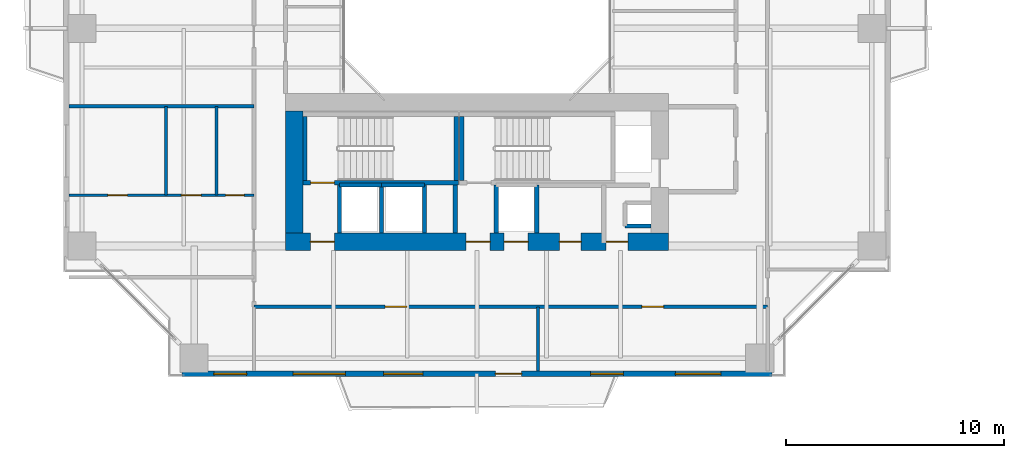
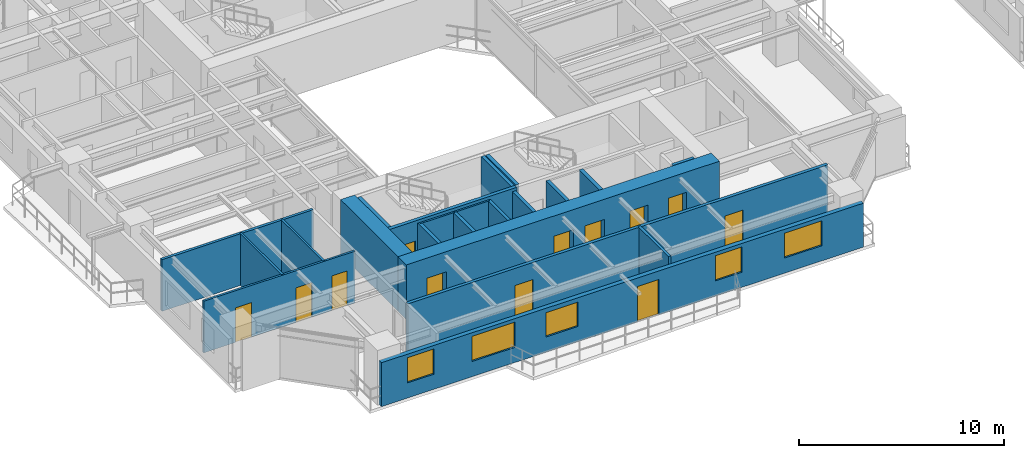
# One storey, part 12 of 23: 22 walls, 12 doors, 5 windows, 17 openings.
"""IFC4 building model written with IfcOpenShell, lengths in metres."""

from ifc_helpers import new_model, si_unit, direction, frame, frame_2d, origin, place, context, subcontext, project, spatial, rectangle, extrude, source, transform, mapped, material, layer, layer_set, type_object, element, fill, save


model = new_model("IFC4")

# Units and contexts
model_context = context("Model", 3, precision=1e-05, world=origin(), true_north=direction((0.0, 1.0)))
body_context = subcontext(model_context, "Body", "Model", "MODEL_VIEW")
ifc_project = project(units=[si_unit("LENGTHUNIT", "METRE"), si_unit("AREAUNIT", "SQUARE_METRE"), si_unit("VOLUMEUNIT", "CUBIC_METRE"), si_unit("PLANEANGLEUNIT", "RADIAN"), si_unit("MASSUNIT", "GRAM", prefix="KILO"), si_unit("THERMODYNAMICTEMPERATUREUNIT", "KELVIN"), si_unit("POWERUNIT", "WATT")], contexts=[model_context])

# Site, building, storey
site_placement = place(None, origin())
site = spatial("IfcSite", under=ifc_project, at=site_placement, CompositionType="ELEMENT")
building_placement = place(site_placement, origin())
building = spatial("IfcBuilding", under=site, at=building_placement, Name="Qiaomeng Ring Towers", CompositionType="ELEMENT")
storey_placement = place(building_placement, frame((0.0, 0.0, 60.0)))
storey = spatial("IfcBuildingStorey", under=building, at=storey_placement, Name="L16", CompositionType="ELEMENT", Elevation=60.0)

# Wall, openings, windows, door
ifc_material_1 = material(Name="Precast concrete C40", Category="concrete")
ifc_layer_1 = layer(ifc_material_1, 0.25, Name="Precast concrete C40")
ifc_layer_set_1 = layer_set([ifc_layer_1], Name="Precast concrete C40")
wall_type_1 = type_object("IfcWallType", Name="ARC-WL-EW1", PredefinedType="STANDARD", material=ifc_layer_set_1)
wall_1_placement = place(storey_placement, frame((5.449951171875, 4.125, 0.0), z_axis=(0.0, 0.0, 1.0), x_axis=(1.0, 0.0, 0.0)))
wall_1 = element("IfcWall", 1, at=wall_1_placement, inside=storey, type_object=wall_type_1, Name="L16 Tower 1 S Exterior Wall", PredefinedType="STANDARD", context=body_context, shape_type="SweptSolid", body=[
    extrude(rectangle(XDim=27.10009765625, YDim=0.25, at=frame_2d((13.550048828125, 0.0))), origin(), (0.0, 0.0, 1.0), 2.610107421875),
])
opening_1_placement = place(wall_1_placement, frame((14.39990234375, 0.0, 0.0)))
opening_1 = element("IfcOpeningElement", 2, at=opening_1_placement, cuts=wall_1, Name="Opening BD1", PredefinedType="OPENING", context=body_context, shape_type="SweptSolid", body=[
    extrude(rectangle(XDim=1.199951171875, YDim=2.10009765625, at=frame_2d((0.60009765625, 1.050048828125))), frame((0.0, 0.135009765625, 0.0), z_axis=(0.0, -1.0, 0.0), x_axis=(1.0, 0.0, 0.0)), (0.0, 0.0, 1.0), 0.27001953125),
])
opening_2_placement = place(wall_1_placement, frame((1.465087890625, 0.0, 0.89990234375)))
opening_2 = element("IfcOpeningElement", 3, at=opening_2_placement, cuts=wall_1, Name="Opening WN2", PredefinedType="OPENING", context=body_context, shape_type="SweptSolid", body=[
    extrude(rectangle(XDim=1.5, YDim=1.5, at=frame_2d((0.75, 0.75))), frame((0.0, 0.135009765625, 0.0), z_axis=(0.0, -1.0, 0.0), x_axis=(1.0, 0.0, 0.0)), (0.0, 0.0, 1.0), 0.27001953125),
])
opening_3_placement = place(wall_1_placement, frame((9.262939453125, 0.0, 0.89990234375)))
opening_3 = element("IfcOpeningElement", 4, at=opening_3_placement, cuts=wall_1, Name="Opening WN1", PredefinedType="OPENING", context=body_context, shape_type="SweptSolid", body=[
    extrude(rectangle(XDim=1.800048828125, YDim=1.449951171875, at=frame_2d((0.89990234375, 0.72509765625))), frame((0.0, 0.135009765625, 0.0), z_axis=(0.0, -1.0, 0.0), x_axis=(1.0, 0.0, 0.0)), (0.0, 0.0, 1.0), 0.27001953125),
])
opening_4_placement = place(wall_1_placement, frame((18.77392578125, 0.0, 0.89990234375)))
opening_4 = element("IfcOpeningElement", 5, at=opening_4_placement, cuts=wall_1, Name="Opening WN2", PredefinedType="OPENING", context=body_context, shape_type="SweptSolid", body=[
    extrude(rectangle(XDim=1.5, YDim=1.5, at=frame_2d((0.75, 0.75))), frame((0.0, 0.135009765625, 0.0), z_axis=(0.0, -1.0, 0.0), x_axis=(1.0, 0.0, 0.0)), (0.0, 0.0, 1.0), 0.27001953125),
])
opening_5_placement = place(wall_1_placement, frame((22.6630859375, 0.0, 0.89990234375)))
opening_5 = element("IfcOpeningElement", 6, at=opening_5_placement, cuts=wall_1, Name="Opening WN4", PredefinedType="OPENING", context=body_context, shape_type="SweptSolid", body=[
    extrude(rectangle(XDim=2.10009765625, YDim=1.47998046875, at=frame_2d((1.050048828125, 0.739990234375))), frame((0.0, 0.135009765625, 0.0), z_axis=(0.0, -1.0, 0.0), x_axis=(1.0, 0.0, 0.0)), (0.0, 0.0, 1.0), 0.27001953125),
])
opening_6_placement = place(wall_1_placement, frame((5.09912109375, 0.0, 0.89990234375)))
opening_6 = element("IfcOpeningElement", 7, at=opening_6_placement, cuts=wall_1, Name="Opening WN6", PredefinedType="OPENING", context=body_context, shape_type="SweptSolid", body=[
    extrude(rectangle(XDim=2.39990234375, YDim=1.5, at=frame_2d((1.199951171875, 0.75))), frame((0.0, 0.135009765625, 0.0), z_axis=(0.0, -1.0, 0.0), x_axis=(1.0, 0.0, 0.0)), (0.0, 0.0, 1.0), 0.27001953125),
])
ifc_material_2 = material(Name="Low-E dark-grey laminated double glazing", Category="glass")
window_type_1 = type_object("IfcWindowType", Name="ARC-WN-4", PartitioningType="TRIPLE_PANEL_VERTICAL", PredefinedType="WINDOW", material=ifc_material_2)
shared_shape_1 = source(origin(), body_context, "Body", "SweptSolid", [
    extrude(rectangle(XDim=2.10009765625, YDim=1.47998046875, at=frame_2d((1.050048828125, 0.739990234375))), frame((0.0, 0.030029296875, 0.0), z_axis=(0.0, -1.0, 0.0), x_axis=(1.0, 0.0, 0.0)), (0.0, 0.0, 1.0), 0.06005859375),
])
window_1_placement = place(opening_5_placement, origin())
window_1 = element("IfcWindow", 8, at=window_1_placement, inside=storey, type_object=window_type_1, Name="L16 Exterior Window WN4", OverallHeight=1.47998046875, OverallWidth=2.10009765625, PartitioningType="TRIPLE_PANEL_VERTICAL", PredefinedType="WINDOW", context=body_context, shape_type="MappedRepresentation", body=[
    mapped(shared_shape_1, transform((0.0, 0.0, 0.0), x_axis=(1.0, 0.0, 0.0), y_axis=(0.0, 1.0, 0.0), z_axis=(0.0, 0.0, 1.0), scale=1.0)),
])
fill(opening_5, window_1)
window_type_2 = type_object("IfcWindowType", Name="ARC-WN-1", PartitioningType="DOUBLE_PANEL_VERTICAL", PredefinedType="WINDOW", material=ifc_material_2)
shared_shape_2 = source(origin(), body_context, "Body", "SweptSolid", [
    extrude(rectangle(XDim=1.800048828125, YDim=1.449951171875, at=frame_2d((0.89990234375, 0.72509765625))), frame((0.0, 0.030029296875, 0.0), z_axis=(0.0, -1.0, 0.0), x_axis=(1.0, 0.0, 0.0)), (0.0, 0.0, 1.0), 0.06005859375),
])
window_2_placement = place(opening_3_placement, origin())
window_2 = element("IfcWindow", 9, at=window_2_placement, inside=storey, type_object=window_type_2, Name="L16 Exterior Window WN1", OverallHeight=1.449951171875, OverallWidth=1.800048828125, PartitioningType="DOUBLE_PANEL_VERTICAL", PredefinedType="WINDOW", context=body_context, shape_type="MappedRepresentation", body=[
    mapped(shared_shape_2, transform((0.0, 0.0, 0.0), x_axis=(1.0, 0.0, 0.0), y_axis=(0.0, 1.0, 0.0), z_axis=(0.0, 0.0, 1.0), scale=1.0)),
])
fill(opening_3, window_2)
door_type_1 = type_object("IfcDoorType", Name="ARC-DR-BD1", OperationType="NOTDEFINED", PredefinedType="DOOR", material=ifc_material_2)
shared_shape_3 = source(origin(), body_context, "Body", "SweptSolid", [
    extrude(rectangle(XDim=1.199951171875, YDim=2.10009765625, at=frame_2d((0.60009765625, 1.050048828125))), frame((0.0, 0.02490234375, 0.0), z_axis=(0.0, -1.0, 0.0), x_axis=(1.0, 0.0, 0.0)), (0.0, 0.0, 1.0), 0.050048828125),
])
door_1_placement = place(opening_1_placement, frame((1.199951171875, 0.0, 0.0), z_axis=(0.0, 0.0, 1.0), x_axis=(-1.0, 0.0, 0.0)))
door_1 = element("IfcDoor", 10, at=door_1_placement, inside=storey, type_object=door_type_1, Name="L16 S Balcony Glazed Door", OperationType="SINGLE_SWING_LEFT", OverallHeight=2.10009765625, OverallWidth=1.199951171875, PredefinedType="DOOR", context=body_context, shape_type="MappedRepresentation", body=[
    mapped(shared_shape_3, transform((0.0, 0.0, 0.0), x_axis=(1.0, 0.0, 0.0), y_axis=(0.0, 1.0, 0.0), z_axis=(0.0, 0.0, 1.0), scale=1.0)),
])
fill(opening_1, door_1)
window_type_3 = type_object("IfcWindowType", Name="ARC-WN-2", PartitioningType="DOUBLE_PANEL_VERTICAL", PredefinedType="WINDOW", material=ifc_material_2)
shared_shape_4 = source(origin(), body_context, "Body", "SweptSolid", [
    extrude(rectangle(XDim=1.5, YDim=1.5, at=frame_2d((0.75, 0.75))), frame((0.0, 0.030029296875, 0.0), z_axis=(0.0, -1.0, 0.0), x_axis=(1.0, 0.0, 0.0)), (0.0, 0.0, 1.0), 0.06005859375),
])
window_3_placement = place(opening_2_placement, origin())
window_3 = element("IfcWindow", 11, at=window_3_placement, inside=storey, type_object=window_type_3, Name="L16 Exterior Window WN6", OverallHeight=1.5, OverallWidth=1.5, PartitioningType="TRIPLE_PANEL_VERTICAL", PredefinedType="WINDOW", context=body_context, shape_type="MappedRepresentation", body=[
    mapped(shared_shape_4, transform((0.0, 0.0, 0.0), x_axis=(1.0, 0.0, 0.0), y_axis=(0.0, 1.0, 0.0), z_axis=(0.0, 0.0, 1.0), scale=1.0)),
])
fill(opening_2, window_3)
window_4_placement = place(opening_4_placement, origin())
window_4 = element("IfcWindow", 12, at=window_4_placement, inside=storey, type_object=window_type_3, Name="L16 Exterior Window WN2", OverallHeight=1.5, OverallWidth=1.5, PartitioningType="DOUBLE_PANEL_VERTICAL", PredefinedType="WINDOW", context=body_context, shape_type="MappedRepresentation", body=[
    mapped(shared_shape_4, transform((0.0, 0.0, 0.0), x_axis=(1.0, 0.0, 0.0), y_axis=(0.0, 1.0, 0.0), z_axis=(0.0, 0.0, 1.0), scale=1.0)),
])
fill(opening_4, window_4)
window_type_4 = type_object("IfcWindowType", Name="ARC-WN-6", PartitioningType="TRIPLE_PANEL_VERTICAL", PredefinedType="WINDOW", material=ifc_material_2)
shared_shape_5 = source(origin(), body_context, "Body", "SweptSolid", [
    extrude(rectangle(XDim=2.39990234375, YDim=1.5, at=frame_2d((1.199951171875, 0.75))), frame((0.0, 0.030029296875, 0.0), z_axis=(0.0, -1.0, 0.0), x_axis=(1.0, 0.0, 0.0)), (0.0, 0.0, 1.0), 0.06005859375),
])
window_5_placement = place(opening_6_placement, origin())
window_5 = element("IfcWindow", 13, at=window_5_placement, inside=storey, type_object=window_type_4, Name="L16 Exterior Window WN6", OverallHeight=1.5, OverallWidth=2.39990234375, PartitioningType="TRIPLE_PANEL_VERTICAL", PredefinedType="WINDOW", context=body_context, shape_type="MappedRepresentation", body=[
    mapped(shared_shape_5, transform((0.0, 0.0, 0.0), x_axis=(1.0, 0.0, 0.0), y_axis=(0.0, 1.0, 0.0), z_axis=(0.0, 0.0, 1.0), scale=1.0)),
])
fill(opening_6, window_5)

# Walls
ifc_material_3 = material(Name="Autoclaved aerated concrete block", Category="concrete")
ifc_layer_2 = layer(ifc_material_3, 0.199951171875, Name="Autoclaved aerated concrete block")
ifc_layer_set_2 = layer_set([ifc_layer_2], Name="Autoclaved aerated concrete block")
wall_type_2 = type_object("IfcWallType", Name="ARC-WL-PW1", PredefinedType="PARTITIONING", material=ifc_layer_set_2)
for number, where, z_axis, x_axis, name in (
    (14, (12.679931640625, 10.60009765625, 0.0), (0.0, 0.0, 1.0), (0.0, 1.0, 0.0), "L16 Interior Wall PW1"),
    (15, (18.0, 10.60009765625, 0.0), (0.0, 0.0, 1.0), (0.0, 1.0, 0.0), "L16 Interior Wall PW1"),
    (16, (19.8798828125, 10.60009765625, 0.0), (0.0, 0.0, 1.0), (0.0, 1.0, 0.0), "L16 Interior Wall PW1"),
):
    element("IfcWall", number, at=place(storey_placement, frame(where, z_axis=z_axis, x_axis=x_axis)), inside=storey, type_object=wall_type_2, Name=name, PredefinedType="PARTITIONING", context=body_context, shape_type="SweptSolid", body=[
        extrude(rectangle(XDim=2.2099609375, YDim=0.199951171875, at=frame_2d((1.10498046875, 0.0))), origin(), (0.0, 0.0, 1.0), 3.070068359375),
    ])
wall_2_placement = place(storey_placement, frame((21.75, 10.60009765625, 0.0), z_axis=(0.0, 0.0, 1.0), x_axis=(0.0, 1.0, 0.0)))
element("IfcWall", 17, at=wall_2_placement, inside=storey, type_object=wall_type_2, Name="L16 Interior Wall PW1", PredefinedType="PARTITIONING", context=body_context, shape_type="SweptSolid", body=[
    extrude(rectangle(XDim=2.199951171875, YDim=0.199951171875, at=frame_2d((1.10009765625, 0.0))), origin(), (0.0, 0.0, 1.0), 3.070068359375),
])

# Wall, openings, doors
ifc_layer_3 = layer(ifc_material_3, 0.179931640625, Name="Autoclaved aerated concrete block")
ifc_layer_set_3 = layer_set([ifc_layer_3], Name="Autoclaved aerated concrete block")
wall_type_3 = type_object("IfcWallType", Name="ARC-WL-PW2", PredefinedType="PARTITIONING", material=ifc_layer_set_3)
wall_3_placement = place(storey_placement, frame((8.75, 7.2099609375, 0.0), z_axis=(0.0, 0.0, 1.0), x_axis=(1.0, 0.0, 0.0)))
wall_3 = element("IfcWall", 18, at=wall_3_placement, inside=storey, type_object=wall_type_3, Name="L16 Interior Wall PW2", PredefinedType="PARTITIONING", context=body_context, shape_type="SweptSolid", body=[
    extrude(rectangle(XDim=23.610107421875, YDim=0.179931640625, at=frame_2d((11.80517578125, 0.0))), origin(), (0.0, 0.0, 1.0), 3.070068359375),
])
opening_7_placement = place(wall_3_placement, frame((6.02490234375, 0.0, 0.0)))
opening_7 = element("IfcOpeningElement", 19, at=opening_7_placement, cuts=wall_3, Name="Opening FD4", PredefinedType="OPENING", context=body_context, shape_type="SweptSolid", body=[
    extrude(rectangle(XDim=1.0, YDim=2.050048828125, at=frame_2d((0.5, 1.02490234375))), frame((0.0, 0.099853515625, 0.0), z_axis=(0.0, -1.0, 0.0), x_axis=(1.0, 0.0, 0.0)), (0.0, 0.0, 1.0), 0.199951171875),
])
opening_8_placement = place(wall_3_placement, frame((17.830078125, 0.0, 0.0)))
opening_8 = element("IfcOpeningElement", 20, at=opening_8_placement, cuts=wall_3, Name="Opening FD4", PredefinedType="OPENING", context=body_context, shape_type="SweptSolid", body=[
    extrude(rectangle(XDim=1.0, YDim=2.050048828125, at=frame_2d((0.5, 1.02490234375))), frame((0.0, 0.099853515625, 0.0), z_axis=(0.0, -1.0, 0.0), x_axis=(1.0, 0.0, 0.0)), (0.0, 0.0, 1.0), 0.199951171875),
])
ifc_material_4 = material(Name="Engineered fire-rated oak timber", Category="wood")
door_type_2 = type_object("IfcDoorType", Name="ARC-DR-FD4", OperationType="NOTDEFINED", PredefinedType="DOOR", material=ifc_material_4)
shared_shape_6 = source(origin(), body_context, "Body", "SweptSolid", [
    extrude(rectangle(XDim=1.0, YDim=2.050048828125, at=frame_2d((0.5, 1.02490234375))), frame((0.0, 0.02490234375, 0.0), z_axis=(0.0, -1.0, 0.0), x_axis=(1.0, 0.0, 0.0)), (0.0, 0.0, 1.0), 0.050048828125),
])
door_2_placement = place(opening_7_placement, origin())
door_2 = element("IfcDoor", 21, at=door_2_placement, inside=storey, type_object=door_type_2, Name="L16 Door FD4", OperationType="SINGLE_SWING_LEFT", OverallHeight=2.050048828125, OverallWidth=1.0, PredefinedType="DOOR", context=body_context, shape_type="MappedRepresentation", body=[
    mapped(shared_shape_6, transform((0.0, 0.0, 0.0), x_axis=(1.0, 0.0, 0.0), y_axis=(0.0, 1.0, 0.0), z_axis=(0.0, 0.0, 1.0), scale=1.0)),
])
fill(opening_7, door_2)
door_3_placement = place(opening_8_placement, origin())
door_3 = element("IfcDoor", 22, at=door_3_placement, inside=storey, type_object=door_type_2, Name="L16 Door FD4", OperationType="SINGLE_SWING_RIGHT", OverallHeight=2.050048828125, OverallWidth=1.0, PredefinedType="DOOR", context=body_context, shape_type="MappedRepresentation", body=[
    mapped(shared_shape_6, transform((0.0, 0.0, 0.0), x_axis=(1.0, 0.0, 0.0), y_axis=(0.0, 1.0, 0.0), z_axis=(0.0, 0.0, 1.0), scale=1.0)),
])
fill(opening_8, door_3)

# Walls
ifc_material_5 = material(Name="Gypsum fireboard steel-stud partition", Category="steel")
ifc_layer_4 = layer(ifc_material_5, 0.14990234375, Name="Gypsum fireboard steel-stud partition")
ifc_layer_set_4 = layer_set([ifc_layer_4], Name="Gypsum fireboard steel-stud partition")
wall_type_4 = type_object("IfcWallType", Name="ARC-WL-PW3", PredefinedType="PARTITIONING", material=ifc_layer_set_4)
wall_4_placement = place(storey_placement, frame((21.800048828125, 4.25, 0.0), z_axis=(0.0, 0.0, 1.0), x_axis=(0.0, 1.0, 0.0)))
element("IfcWall", 23, at=wall_4_placement, inside=storey, type_object=wall_type_4, Name="L16 Interior Wall PW3", PredefinedType="PARTITIONING", context=body_context, shape_type="SweptSolid", body=[
    extrude(rectangle(XDim=2.9599609375, YDim=0.14990234375, at=frame_2d((1.47998046875, 0.0))), origin(), (0.0, 0.0, 1.0), 3.070068359375),
])
wall_5_placement = place(storey_placement, frame((0.25, 16.419921875, 0.0), z_axis=(0.0, 0.0, 1.0), x_axis=(1.0, 0.0, 0.0)))
element("IfcWall", 24, at=wall_5_placement, inside=storey, type_object=wall_type_4, Name="L16 Interior Wall PW3", PredefinedType="PARTITIONING", context=body_context, shape_type="SweptSolid", body=[
    extrude(rectangle(XDim=8.5, YDim=0.14990234375, at=frame_2d((4.25, 0.0))), origin(), (0.0, 0.0, 1.0), 3.070068359375),
])

# Wall, openings, doors
ifc_material_6 = material(Name="Moisture-resistant gypsum steel-stud partition", Category="steel")
ifc_layer_5 = layer(ifc_material_6, 0.1201171875, Name="Moisture-resistant gypsum steel-stud partition")
ifc_layer_set_5 = layer_set([ifc_layer_5], Name="Moisture-resistant gypsum steel-stud partition")
wall_type_5 = type_object("IfcWallType", Name="ARC-WL-PW4", PredefinedType="PLUMBINGWALL", material=ifc_layer_set_5)
wall_6_placement = place(storey_placement, frame((0.25, 12.340087890625, 0.0), z_axis=(0.0, 0.0, 1.0), x_axis=(1.0, 0.0, 0.0)))
wall_6 = element("IfcWall", 25, at=wall_6_placement, inside=storey, type_object=wall_type_5, Name="L16 Interior Wall PW4", PredefinedType="PLUMBINGWALL", context=body_context, shape_type="SweptSolid", body=[
    extrude(rectangle(XDim=8.5, YDim=0.1201171875, at=frame_2d((4.25, 0.0))), origin(), (0.0, 0.0, 1.0), 3.070068359375),
])
opening_9_placement = place(wall_6_placement, frame((1.7900390625, 0.0, 0.0)))
opening_9 = element("IfcOpeningElement", 26, at=opening_9_placement, cuts=wall_6, Name="Opening ID1", PredefinedType="OPENING", context=body_context, shape_type="SweptSolid", body=[
    extrude(rectangle(XDim=0.89990234375, YDim=2.050048828125, at=frame_2d((0.449951171875, 1.02490234375))), frame((0.0, 0.070068359375, 0.0), z_axis=(0.0, -1.0, 0.0), x_axis=(1.0, 0.0, 0.0)), (0.0, 0.0, 1.0), 0.14013671875),
])
opening_10_placement = place(wall_6_placement, frame((5.169921875, 0.0, 0.0)))
opening_10 = element("IfcOpeningElement", 27, at=opening_10_placement, cuts=wall_6, Name="Opening ID1", PredefinedType="OPENING", context=body_context, shape_type="SweptSolid", body=[
    extrude(rectangle(XDim=0.89990234375, YDim=2.050048828125, at=frame_2d((0.449951171875, 1.02490234375))), frame((0.0, 0.070068359375, 0.0), z_axis=(0.0, -1.0, 0.0), x_axis=(1.0, 0.0, 0.0)), (0.0, 0.0, 1.0), 0.14013671875),
])
opening_11_placement = place(wall_6_placement, frame((7.205078125, 0.0, 0.0)))
opening_11 = element("IfcOpeningElement", 28, at=opening_11_placement, cuts=wall_6, Name="Opening ID2", PredefinedType="OPENING", context=body_context, shape_type="SweptSolid", body=[
    extrude(rectangle(XDim=0.85009765625, YDim=2.050048828125, at=frame_2d((0.425048828125, 1.02490234375))), frame((0.0, 0.070068359375, 0.0), z_axis=(0.0, -1.0, 0.0), x_axis=(1.0, 0.0, 0.0)), (0.0, 0.0, 1.0), 0.14013671875),
])
ifc_material_7 = material(Name="Moisture-resistant engineered timber", Category="wood")
door_type_3 = type_object("IfcDoorType", Name="ARC-DR-ID2", OperationType="NOTDEFINED", PredefinedType="DOOR", material=ifc_material_7)
shared_shape_7 = source(origin(), body_context, "Body", "SweptSolid", [
    extrude(rectangle(XDim=0.85009765625, YDim=2.050048828125, at=frame_2d((0.425048828125, 1.02490234375))), frame((0.0, 0.02490234375, 0.0), z_axis=(0.0, -1.0, 0.0), x_axis=(1.0, 0.0, 0.0)), (0.0, 0.0, 1.0), 0.050048828125),
])
door_4_placement = place(opening_11_placement, origin())
door_4 = element("IfcDoor", 29, at=door_4_placement, inside=storey, type_object=door_type_3, Name="L16 Door ID2", OperationType="SINGLE_SWING_LEFT", OverallHeight=2.050048828125, OverallWidth=0.85009765625, PredefinedType="DOOR", context=body_context, shape_type="MappedRepresentation", body=[
    mapped(shared_shape_7, transform((0.0, 0.0, 0.0), x_axis=(1.0, 0.0, 0.0), y_axis=(0.0, 1.0, 0.0), z_axis=(0.0, 0.0, 1.0), scale=1.0)),
])
fill(opening_11, door_4)
ifc_material_8 = material(Name="Engineered oak timber", Category="wood")
door_type_4 = type_object("IfcDoorType", Name="ARC-DR-ID1", OperationType="NOTDEFINED", PredefinedType="DOOR", material=ifc_material_8)
shared_shape_8 = source(origin(), body_context, "Body", "SweptSolid", [
    extrude(rectangle(XDim=0.89990234375, YDim=2.050048828125, at=frame_2d((0.449951171875, 1.02490234375))), frame((0.0, 0.02490234375, 0.0), z_axis=(0.0, -1.0, 0.0), x_axis=(1.0, 0.0, 0.0)), (0.0, 0.0, 1.0), 0.050048828125),
])
door_5_placement = place(opening_9_placement, origin())
door_5 = element("IfcDoor", 30, at=door_5_placement, inside=storey, type_object=door_type_4, Name="L16 Door ID1", OperationType="SINGLE_SWING_LEFT", OverallHeight=2.050048828125, OverallWidth=0.89990234375, PredefinedType="DOOR", context=body_context, shape_type="MappedRepresentation", body=[
    mapped(shared_shape_8, transform((0.0, 0.0, 0.0), x_axis=(1.0, 0.0, 0.0), y_axis=(0.0, 1.0, 0.0), z_axis=(0.0, 0.0, 1.0), scale=1.0)),
])
fill(opening_9, door_5)
door_6_placement = place(opening_10_placement, origin())
door_6 = element("IfcDoor", 31, at=door_6_placement, inside=storey, type_object=door_type_4, Name="L16 Door ID1", OperationType="SINGLE_SWING_RIGHT", OverallHeight=2.050048828125, OverallWidth=0.89990234375, PredefinedType="DOOR", context=body_context, shape_type="MappedRepresentation", body=[
    mapped(shared_shape_8, transform((0.0, 0.0, 0.0), x_axis=(1.0, 0.0, 0.0), y_axis=(0.0, 1.0, 0.0), z_axis=(0.0, 0.0, 1.0), scale=1.0)),
])
fill(opening_10, door_6)

# Walls
for number, where, z_axis, x_axis, name in (
    (32, (4.7099609375, 12.340087890625, 0.0), (0.0, 0.0, 1.0), (0.0, 1.0, 0.0), "L16 Interior Wall PW4"),
    (33, (7.030029296875, 12.340087890625, 0.0), (0.0, 0.0, 1.0), (0.0, 1.0, 0.0), "L16 Interior Wall PW4"),
):
    element("IfcWall", number, at=place(storey_placement, frame(where, z_axis=z_axis, x_axis=x_axis)), inside=storey, type_object=wall_type_5, Name=name, PredefinedType="PLUMBINGWALL", context=body_context, shape_type="SweptSolid", body=[
        extrude(rectangle(XDim=4.079833984375, YDim=0.1201171875, at=frame_2d((2.0400390625, 0.0))), origin(), (0.0, 0.0, 1.0), 3.070068359375),
    ])
ifc_material_9 = material(Name="Concrete C40", Category="concrete")
ifc_layer_6 = layer(ifc_material_9, 0.199951171875, Name="Concrete C40")
ifc_layer_set_6 = layer_set([ifc_layer_6], Name="Concrete C40")
wall_type_6 = type_object("IfcWallType", Name="STR-WL-STSHAFT", PredefinedType="SHEAR", material=ifc_layer_set_6)
wall_7_placement = place(storey_placement, frame((12.679931640625, 12.800048828125, 0.0), z_axis=(0.0, 0.0, 1.0), x_axis=(1.0, 0.0, 0.0)))
element("IfcWall", 34, at=wall_7_placement, inside=storey, type_object=wall_type_6, Name="L16 Lift LP6 Shaft Back Wall", PredefinedType="SHEAR", context=body_context, shape_type="SweptSolid", body=[
    extrude(rectangle(XDim=1.940185546875, YDim=0.179931640625, at=frame_2d((0.97021484375, 0.0))), origin(), (0.0, 0.0, 1.0), 3.070068359375),
])
wall_8_placement = place(storey_placement, frame((14.6201171875, 10.60009765625, 0.0), z_axis=(0.0, 0.0, 1.0), x_axis=(0.0, 1.0, 0.0)))
element("IfcWall", 35, at=wall_8_placement, inside=storey, type_object=wall_type_6, Name="L16 Lift LP6-LP4 Shaft Divider Wall", PredefinedType="SHEAR", context=body_context, shape_type="SweptSolid", body=[
    extrude(rectangle(XDim=2.199951171875, YDim=0.179931640625, at=frame_2d((1.10009765625, 0.0))), origin(), (0.0, 0.0, 1.0), 3.070068359375),
])
wall_9_placement = place(storey_placement, frame((25.800048828125, 10.919921875, 0.0), z_axis=(0.0, 0.0, 1.0), x_axis=(1.0, 0.0, 0.0)))
element("IfcWall", 36, at=wall_9_placement, inside=storey, type_object=wall_type_6, Name="L16 Riser RSR1 South Shaft Wall S", PredefinedType="SHEAR", context=body_context, shape_type="SweptSolid", body=[
    extrude(rectangle(XDim=1.199951171875, YDim=0.179931640625, at=frame_2d((0.60009765625, 0.0))), origin(), (0.0, 0.0, 1.0), 3.070068359375),
])
wall_10_placement = place(storey_placement, frame((14.6201171875, 12.800048828125, 0.0), z_axis=(0.0, 0.0, 1.0), x_axis=(1.0, 0.0, 0.0)))
element("IfcWall", 37, at=wall_10_placement, inside=storey, type_object=wall_type_6, Name="L16 Lift LP4 Shaft Back Wall", PredefinedType="SHEAR", context=body_context, shape_type="SweptSolid", body=[
    extrude(rectangle(XDim=1.9599609375, YDim=0.179931640625, at=frame_2d((0.97998046875, 0.0))), origin(), (0.0, 0.0, 1.0), 3.070068359375),
])
wall_11_placement = place(storey_placement, frame((16.580078125, 10.60009765625, 0.0), z_axis=(0.0, 0.0, 1.0), x_axis=(0.0, 1.0, 0.0)))
element("IfcWall", 38, at=wall_11_placement, inside=storey, type_object=wall_type_6, Name="L16 Lift LP4 East Shaft Wall", PredefinedType="SHEAR", context=body_context, shape_type="SweptSolid", body=[
    extrude(rectangle(XDim=2.199951171875, YDim=0.179931640625, at=frame_2d((1.10009765625, 0.0))), origin(), (0.0, 0.0, 1.0), 3.070068359375),
])

# Wall, opening, door
wall_12_placement = place(storey_placement, frame((11.0, 12.909912109375, 0.0), z_axis=(0.0, 0.0, 1.0), x_axis=(1.0, 0.0, 0.0)))
wall_12 = element("IfcWall", 39, at=wall_12_placement, inside=storey, type_object=wall_type_6, Name="L16 Stair ST3 South Shaft Shear Wall", PredefinedType="SHEAR", context=body_context, shape_type="SweptSolid", body=[
    extrude(rectangle(XDim=7.14990234375, YDim=0.199951171875, at=frame_2d((3.574951171875, 0.0))), origin(), (0.0, 0.0, 1.0), 3.25),
])
opening_12_placement = place(wall_12_placement, frame((0.35009765625, 0.0, 0.0)))
opening_12 = element("IfcOpeningElement", 40, at=opening_12_placement, cuts=wall_12, Name="Opening FD3", PredefinedType="OPENING", context=body_context, shape_type="SweptSolid", body=[
    extrude(rectangle(XDim=1.10009765625, YDim=2.050048828125, at=frame_2d((0.550048828125, 1.02490234375))), frame((0.0, 0.10986328125, 0.0), z_axis=(0.0, -1.0, 0.0), x_axis=(1.0, 0.0, 0.0)), (0.0, 0.0, 1.0), 0.219970703125),
])
ifc_material_10 = material(Name="Galvanised steel", Category="steel")
door_type_5 = type_object("IfcDoorType", Name="ARC-DR-FD3", OperationType="NOTDEFINED", PredefinedType="DOOR", material=ifc_material_10)
shared_shape_9 = source(origin(), body_context, "Body", "SweptSolid", [
    extrude(rectangle(XDim=1.10009765625, YDim=2.050048828125, at=frame_2d((0.550048828125, 1.02490234375))), frame((0.0, 0.02490234375, 0.0), z_axis=(0.0, -1.0, 0.0), x_axis=(1.0, 0.0, 0.0)), (0.0, 0.0, 1.0), 0.050048828125),
])
door_7_placement = place(opening_12_placement, frame((1.10009765625, 0.0, 0.0), z_axis=(0.0, 0.0, 1.0), x_axis=(-1.0, 0.0, 0.0)))
door_7 = element("IfcDoor", 41, at=door_7_placement, inside=storey, type_object=door_type_5, Name="L16 Stair ST3 Exit Door", OperationType="SINGLE_SWING_LEFT", OverallHeight=2.050048828125, OverallWidth=1.10009765625, PredefinedType="DOOR", context=body_context, shape_type="MappedRepresentation", body=[
    mapped(shared_shape_9, transform((0.0, 0.0, 0.0), x_axis=(1.0, 0.0, 0.0), y_axis=(0.0, 1.0, 0.0), z_axis=(0.0, 0.0, 1.0), scale=1.0)),
])
fill(opening_12, door_7)

# Walls
for number, where, z_axis, x_axis, name in (
    (42, (11.10009765625, 13.010009765625, 0.0), (0.0, 0.0, 1.0), (0.0, 1.0, 0.0), "L16 Stair ST3 West Shaft Shear Wall"),
    (43, (18.050048828125, 13.010009765625, 0.0), (0.0, 0.0, 1.0), (0.0, 1.0, 0.0), "L16 Stair ST3 East Shaft Shear Wall"),
    (44, (18.300048828125, 13.010009765625, 0.0), (0.0, 0.0, 1.0), (0.0, 1.0, 0.0), "L16 Stair ST4 West Shaft Shear Wall"),
):
    element("IfcWall", number, at=place(storey_placement, frame(where, z_axis=z_axis, x_axis=x_axis)), inside=storey, type_object=wall_type_6, Name=name, PredefinedType="SHEAR", context=body_context, shape_type="SweptSolid", body=[
        extrude(rectangle(XDim=2.93994140625, YDim=0.199951171875, at=frame_2d((1.469970703125, 0.0))), origin(), (0.0, 0.0, 1.0), 3.25),
    ])

# Wall, openings, doors
ifc_material_11 = material(Name="Concrete C60", Category="concrete")
ifc_layer_7 = layer(ifc_material_11, 0.800048828125, Name="Concrete C60")
ifc_layer_set_7 = layer_set([ifc_layer_7], Name="Concrete C60")
wall_type_7 = type_object("IfcWallType", Name="STR-WL-SW1", PredefinedType="SHEAR", material=ifc_layer_set_7)
wall_13_placement = place(storey_placement, frame((10.199951171875, 10.199951171875, 0.0), z_axis=(0.0, 0.0, 1.0), x_axis=(1.0, 0.0, 0.0)))
wall_13 = element("IfcWall", 45, at=wall_13_placement, inside=storey, type_object=wall_type_7, Name="L16 T1SC south core shear wall", PredefinedType="SHEAR", context=body_context, shape_type="SweptSolid", body=[
    extrude(rectangle(XDim=17.60009765625, YDim=0.800048828125, at=frame_2d((8.800048828125, 0.0))), origin(), (0.0, 0.0, 1.0), 3.25),
])
opening_13_placement = place(wall_13_placement, frame((1.14990234375, 0.0, 0.0)))
opening_13 = element("IfcOpeningElement", 46, at=opening_13_placement, cuts=wall_13, Name="Opening FD3", PredefinedType="OPENING", context=body_context, shape_type="SweptSolid", body=[
    extrude(rectangle(XDim=1.10009765625, YDim=2.050048828125, at=frame_2d((0.550048828125, 1.02490234375))), frame((0.0, 0.409912109375, 0.0), z_axis=(0.0, -1.0, 0.0), x_axis=(1.0, 0.0, 0.0)), (0.0, 0.0, 1.0), 0.820068359375),
])
opening_14_placement = place(wall_13_placement, frame((8.300048828125, 0.0, 0.0)))
opening_14 = element("IfcOpeningElement", 47, at=opening_14_placement, cuts=wall_13, Name="Opening FD3", PredefinedType="OPENING", context=body_context, shape_type="SweptSolid", body=[
    extrude(rectangle(XDim=1.10009765625, YDim=2.050048828125, at=frame_2d((0.550048828125, 1.02490234375))), frame((0.0, 0.409912109375, 0.0), z_axis=(0.0, -1.0, 0.0), x_axis=(1.0, 0.0, 0.0)), (0.0, 0.0, 1.0), 0.820068359375),
])
opening_15_placement = place(wall_13_placement, frame((10.050048828125, 0.0, 0.0)))
opening_15 = element("IfcOpeningElement", 48, at=opening_15_placement, cuts=wall_13, Name="Opening LD1", PredefinedType="OPENING", context=body_context, shape_type="SweptSolid", body=[
    extrude(rectangle(XDim=1.10009765625, YDim=2.050048828125, at=frame_2d((0.550048828125, 1.02490234375))), frame((0.0, 0.409912109375, 0.0), z_axis=(0.0, -1.0, 0.0), x_axis=(1.0, 0.0, 0.0)), (0.0, 0.0, 1.0), 0.820068359375),
])
opening_16_placement = place(wall_13_placement, frame((14.739990234375, 0.0, 0.0)))
opening_16 = element("IfcOpeningElement", 49, at=opening_16_placement, cuts=wall_13, Name="Opening FD1", PredefinedType="OPENING", context=body_context, shape_type="SweptSolid", body=[
    extrude(rectangle(XDim=1.0, YDim=2.050048828125, at=frame_2d((0.5, 1.02490234375))), frame((0.0, 0.409912109375, 0.0), z_axis=(0.0, -1.0, 0.0), x_axis=(1.0, 0.0, 0.0)), (0.0, 0.0, 1.0), 0.820068359375),
])
opening_17_placement = place(wall_13_placement, frame((12.5849609375, 0.0, 0.0)))
opening_17 = element("IfcOpeningElement", 50, at=opening_17_placement, cuts=wall_13, Name="Opening FD1", PredefinedType="OPENING", context=body_context, shape_type="SweptSolid", body=[
    extrude(rectangle(XDim=1.0, YDim=2.050048828125, at=frame_2d((0.5, 1.02490234375))), frame((0.0, 0.409912109375, 0.0), z_axis=(0.0, -1.0, 0.0), x_axis=(1.0, 0.0, 0.0)), (0.0, 0.0, 1.0), 0.820068359375),
])
door_8_placement = place(opening_13_placement, origin())
door_8 = element("IfcDoor", 51, at=door_8_placement, inside=storey, type_object=door_type_5, Name="L16 Stair ST3 Lobby Door", OperationType="SINGLE_SWING_RIGHT", OverallHeight=2.050048828125, OverallWidth=1.10009765625, PredefinedType="DOOR", context=body_context, shape_type="MappedRepresentation", body=[
    mapped(shared_shape_9, transform((0.0, 0.0, 0.0), x_axis=(1.0, 0.0, 0.0), y_axis=(0.0, 1.0, 0.0), z_axis=(0.0, 0.0, 1.0), scale=1.0)),
])
fill(opening_13, door_8)
door_9_placement = place(opening_14_placement, origin())
door_9 = element("IfcDoor", 52, at=door_9_placement, inside=storey, type_object=door_type_5, Name="L16 Stair ST4 Lobby Door", OperationType="SINGLE_SWING_RIGHT", OverallHeight=2.050048828125, OverallWidth=1.10009765625, PredefinedType="DOOR", context=body_context, shape_type="MappedRepresentation", body=[
    mapped(shared_shape_9, transform((0.0, 0.0, 0.0), x_axis=(1.0, 0.0, 0.0), y_axis=(0.0, 1.0, 0.0), z_axis=(0.0, 0.0, 1.0), scale=1.0)),
])
fill(opening_14, door_9)
ifc_material_12 = material(Name="Stainless steel 316", Category="steel")
door_type_6 = type_object("IfcDoorType", Name="ARC-DR-LD1", OperationType="NOTDEFINED", PredefinedType="DOOR", material=ifc_material_12)
door_10_placement = place(opening_15_placement, origin())
door_10 = element("IfcDoor", 53, at=door_10_placement, inside=storey, type_object=door_type_6, Name="L16 Low-Zone Lift LP2 Landing Door", OperationType="SLIDING_TO_RIGHT", OverallHeight=2.050048828125, OverallWidth=1.10009765625, PredefinedType="DOOR", context=body_context, shape_type="MappedRepresentation", body=[
    mapped(shared_shape_9, transform((0.0, 0.0, 0.0), x_axis=(1.0, 0.0, 0.0), y_axis=(0.0, 1.0, 0.0), z_axis=(0.0, 0.0, 1.0), scale=1.0)),
])
fill(opening_15, door_10)
door_type_7 = type_object("IfcDoorType", Name="ARC-DR-FD1", OperationType="NOTDEFINED", PredefinedType="DOOR", material=ifc_material_10)
door_11_placement = place(opening_16_placement, origin())
door_11 = element("IfcDoor", 54, at=door_11_placement, inside=storey, type_object=door_type_7, Name="L16 South Electrical Riser Door", OperationType="SINGLE_SWING_LEFT", OverallHeight=2.050048828125, OverallWidth=1.0, PredefinedType="DOOR", context=body_context, shape_type="MappedRepresentation", body=[
    mapped(shared_shape_6, transform((0.0, 0.0, 0.0), x_axis=(1.0, 0.0, 0.0), y_axis=(0.0, 1.0, 0.0), z_axis=(0.0, 0.0, 1.0), scale=1.0)),
])
fill(opening_16, door_11)
door_12_placement = place(opening_17_placement, origin())
door_12 = element("IfcDoor", 55, at=door_12_placement, inside=storey, type_object=door_type_7, Name="L16 South Building Management Office Door", OperationType="SINGLE_SWING_RIGHT", OverallHeight=2.050048828125, OverallWidth=1.0, PredefinedType="DOOR", context=body_context, shape_type="MappedRepresentation", body=[
    mapped(shared_shape_6, transform((0.0, 0.0, 0.0), x_axis=(1.0, 0.0, 0.0), y_axis=(0.0, 1.0, 0.0), z_axis=(0.0, 0.0, 1.0), scale=1.0)),
])
fill(opening_17, door_12)

# Wall
wall_14_placement = place(storey_placement, frame((10.60009765625, 10.60009765625, 0.0), z_axis=(0.0, 0.0, 1.0), x_axis=(0.0, 1.0, 0.0)))
element("IfcWall", 56, at=wall_14_placement, inside=storey, type_object=wall_type_7, Name="L16 T1SC west core shear wall", PredefinedType="SHEAR", context=body_context, shape_type="SweptSolid", body=[
    extrude(rectangle(XDim=5.599853515625, YDim=0.800048828125, at=frame_2d((2.7998046875, 0.0))), origin(), (0.0, 0.0, 1.0), 3.25),
])

save(model, "model.ifc")
